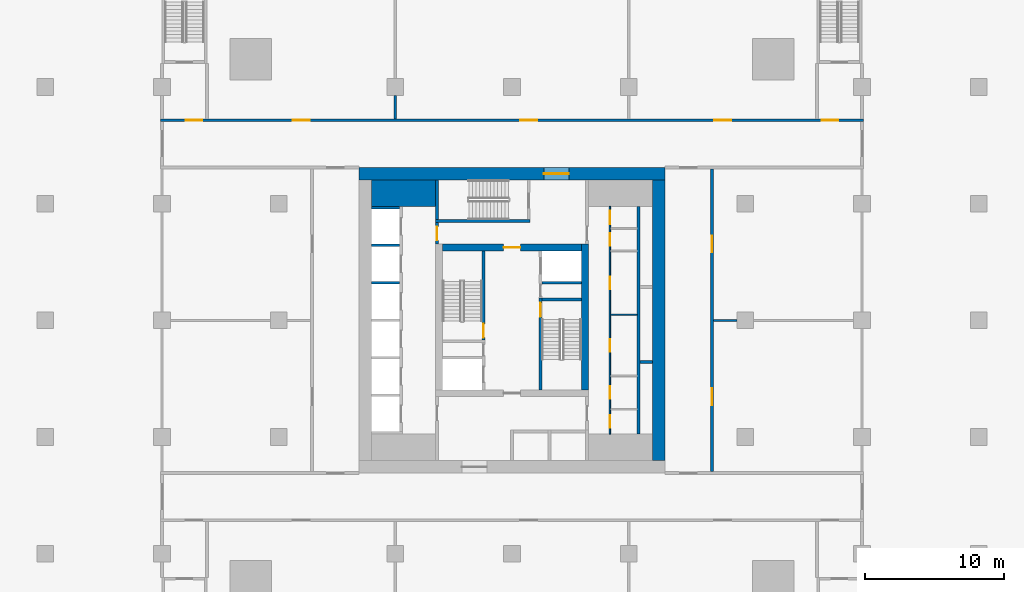
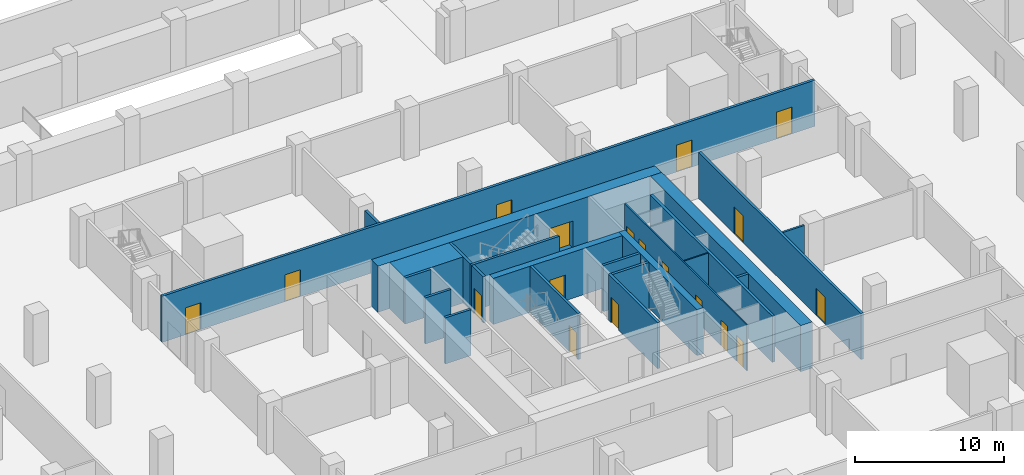
# One storey, part 6 of 16: 23 walls, 18 doors, 18 openings.
"""IFC4 building model written with IfcOpenShell, lengths in metres."""

from ifc_helpers import new_model, si_unit, direction, frame, frame_2d, origin, place, context, subcontext, project, spatial, rectangle, extrude, material, layer, layer_set, type_object, element, fill, save


model = new_model("IFC4")

# Units and contexts
model_context = context("Model", 3, precision=1e-05, world=origin(), true_north=direction((0.0, 1.0)))
body_context = subcontext(model_context, "Body", "Model", "MODEL_VIEW")
ifc_project = project(units=[si_unit("LENGTHUNIT", "METRE"), si_unit("AREAUNIT", "SQUARE_METRE"), si_unit("VOLUMEUNIT", "CUBIC_METRE"), si_unit("PLANEANGLEUNIT", "RADIAN"), si_unit("MASSUNIT", "GRAM", prefix="KILO")], contexts=[model_context])

# Site, building, storey
site_placement = place(None, origin())
site = spatial("IfcSite", under=ifc_project, at=site_placement, CompositionType="ELEMENT")
building_placement = place(site_placement, origin())
building = spatial("IfcBuilding", under=site, at=building_placement, Name="Khepri Terraces", CompositionType="ELEMENT")
storey_placement = place(building_placement, frame((0.0, 0.0, -4.199951171875)))
storey = spatial("IfcBuildingStorey", under=building, at=storey_placement, Name="B1", CompositionType="ELEMENT", Elevation=-4.199951171875)

# Wall
ifc_material_1 = material(Name="Concrete C80/95", Category="concrete")
ifc_layer_1 = layer(ifc_material_1, 1.89990234375, Name="Concrete C80/95", Category="concrete")
ifc_layer_set_1 = layer_set([ifc_layer_1], Name="Concrete C80/95")
wall_type_1 = type_object("IfcWallType", Name="Core wall 1900 C80/95", PredefinedType="SHEAR", material=ifc_layer_set_1)
wall_1_placement = place(storey_placement, frame((-10.10009765625, 9.14990234375, 0.0), z_axis=(0.0, 0.0, 1.0), x_axis=(1.0, 0.0, 0.0)))
element("IfcWall", 1, at=wall_1_placement, inside=storey, type_object=wall_type_1, Name="Core wall PR03 B1", PredefinedType="SHEAR", context=body_context, shape_type="SweptSolid", body=[
    extrude(rectangle(XDim=4.60009765625, YDim=1.89990234375, at=frame_2d((2.300048828125, 0.0))), origin(), (0.0, 0.0, 1.0), 3.780029296875),
])

# Wall, opening, door
ifc_layer_2 = layer(ifc_material_1, 0.199951171875, Name="Concrete C80/95", Category="concrete")
ifc_layer_set_2 = layer_set([ifc_layer_2], Name="Concrete C80/95")
wall_type_2 = type_object("IfcWallType", Name="Core wall 200 C80/95", PredefinedType="SHEAR", material=ifc_layer_set_2)
wall_2_placement = place(storey_placement, frame((2.050048828125, -5.0, 0.0), z_axis=(0.0, 0.0, 1.0), x_axis=(0.0, 1.0, 0.0)))
wall_2 = element("IfcWall", 2, at=wall_2_placement, inside=storey, type_object=wall_type_2, Name="Core wall ST01 B1", PredefinedType="SHEAR", context=body_context, shape_type="SweptSolid", body=[
    extrude(rectangle(XDim=6.60009765625, YDim=0.199951171875, at=frame_2d((3.300048828125, 0.0))), origin(), (0.0, 0.0, 1.0), 3.780029296875),
])
opening_1_placement = place(wall_2_placement, frame((5.25, 0.0, 0.0)))
opening_1 = element("IfcOpeningElement", 3, at=opening_1_placement, cuts=wall_2, Name="Opening B1-C10", PredefinedType="OPENING", context=body_context, shape_type="SweptSolid", body=[
    extrude(rectangle(XDim=1.0, YDim=2.10009765625, at=frame_2d((0.5, 1.050048828125))), frame((0.0, 0.10986328125, 0.0), z_axis=(0.0, -1.0, 0.0), x_axis=(1.0, 0.0, 0.0)), (0.0, 0.0, 1.0), 0.219970703125),
])
ifc_material_2 = material(Name="Painted steel", Category="steel")
door_type_1 = type_object("IfcDoorType", Name="DR-CORE-STAIR-1000", OperationType="NOTDEFINED", PredefinedType="DOOR", material=ifc_material_2)
door_1_placement = place(opening_1_placement, frame((1.0, 0.0, 0.0), z_axis=(0.0, 0.0, 1.0), x_axis=(-1.0, 0.0, 0.0)))
door_1 = element("IfcDoor", 4, at=door_1_placement, inside=storey, type_object=door_type_1, Name="Stair door B1-C10", OperationType="SINGLE_SWING_LEFT", OverallHeight=2.10009765625, OverallWidth=1.0, PredefinedType="DOOR", context=body_context, shape_type="SweptSolid", body=[
    extrude(rectangle(XDim=1.0, YDim=2.10009765625, at=frame_2d((0.5, 1.050048828125))), frame((0.0, 0.02490234375, 0.0), z_axis=(0.0, -1.0, 0.0), x_axis=(1.0, 0.0, 0.0)), (0.0, 0.0, 1.0), 0.050048828125),
])
fill(opening_1, door_1)

wall_3_placement = place(storey_placement, frame((-2.050048828125, -1.39990234375, 0.0), z_axis=(0.0, 0.0, 1.0), x_axis=(0.0, 1.0, 0.0)))
wall_3 = element("IfcWall", 5, at=wall_3_placement, inside=storey, type_object=wall_type_2, Name="Core wall ST03 B1", PredefinedType="SHEAR", context=body_context, shape_type="SweptSolid", body=[
    extrude(rectangle(XDim=6.39990234375, YDim=0.199951171875, at=frame_2d((3.199951171875, 0.0))), origin(), (0.0, 0.0, 1.0), 3.780029296875),
])
opening_2_placement = place(wall_3_placement, frame((0.14990234375, 0.0, 0.0)))
opening_2 = element("IfcOpeningElement", 6, at=opening_2_placement, cuts=wall_3, Name="Opening B1-C09", PredefinedType="OPENING", context=body_context, shape_type="SweptSolid", body=[
    extrude(rectangle(XDim=1.0, YDim=2.10009765625, at=frame_2d((0.5, 1.050048828125))), frame((0.0, 0.10986328125, 0.0), z_axis=(0.0, -1.0, 0.0), x_axis=(1.0, 0.0, 0.0)), (0.0, 0.0, 1.0), 0.219970703125),
])
door_2_placement = place(opening_2_placement, origin())
door_2 = element("IfcDoor", 7, at=door_2_placement, inside=storey, type_object=door_type_1, Name="Stair door B1-C09", OperationType="SINGLE_SWING_LEFT", OverallHeight=2.10009765625, OverallWidth=1.0, PredefinedType="DOOR", context=body_context, shape_type="SweptSolid", body=[
    extrude(rectangle(XDim=1.0, YDim=2.10009765625, at=frame_2d((0.5, 1.050048828125))), frame((0.0, 0.02490234375, 0.0), z_axis=(0.0, -1.0, 0.0), x_axis=(1.0, 0.0, 0.0)), (0.0, 0.0, 1.0), 0.050048828125),
])
fill(opening_2, door_2)

# Walls
wall_4_placement = place(storey_placement, frame((2.14990234375, 1.5, 0.0), z_axis=(0.0, 0.0, 1.0), x_axis=(1.0, 0.0, 0.0)))
element("IfcWall", 8, at=wall_4_placement, inside=storey, type_object=wall_type_2, Name="Core wall ST04 B1", PredefinedType="SHEAR", context=body_context, shape_type="SweptSolid", body=[
    extrude(rectangle(XDim=2.85009765625, YDim=0.199951171875, at=frame_2d((1.425048828125, 0.0))), origin(), (0.0, 0.0, 1.0), 3.780029296875),
])
wall_5_placement = place(storey_placement, frame((-5.5, 7.14990234375, 0.0), z_axis=(0.0, 0.0, 1.0), x_axis=(1.0, 0.0, 0.0)))
element("IfcWall", 9, at=wall_5_placement, inside=storey, type_object=wall_type_2, Name="Core wall ST05 B1", PredefinedType="SHEAR", context=body_context, shape_type="SweptSolid", body=[
    extrude(rectangle(XDim=6.800048828125, YDim=0.199951171875, at=frame_2d((3.39990234375, 0.0))), origin(), (0.0, 0.0, 1.0), 3.780029296875),
])
wall_6_placement = place(storey_placement, frame((-5.39990234375, 7.25, 0.0), z_axis=(0.0, 0.0, 1.0), x_axis=(0.0, 1.0, 0.0)))
element("IfcWall", 10, at=wall_6_placement, inside=storey, type_object=wall_type_2, Name="Core wall ST06 B1", PredefinedType="SHEAR", context=body_context, shape_type="SweptSolid", body=[
    extrude(rectangle(XDim=2.85009765625, YDim=0.199951171875, at=frame_2d((1.425048828125, 0.0))), origin(), (0.0, 0.0, 1.0), 3.780029296875),
])
wall_7_placement = place(storey_placement, frame((9.10009765625, -8.199951171875, 0.0), z_axis=(0.0, 0.0, 1.0), x_axis=(0.0, 1.0, 0.0)))
element("IfcWall", 11, at=wall_7_placement, inside=storey, type_object=wall_type_2, Name="Core wall SH05 B1", PredefinedType="SHEAR", context=body_context, shape_type="SweptSolid", body=[
    extrude(rectangle(XDim=16.39990234375, YDim=0.199951171875, at=frame_2d((8.199951171875, 0.0))), origin(), (0.0, 0.0, 1.0), 3.780029296875),
])
wall_8_placement = place(storey_placement, frame((9.199951171875, -3.0, 0.0), z_axis=(0.0, 0.0, 1.0), x_axis=(1.0, 0.0, 0.0)))
element("IfcWall", 12, at=wall_8_placement, inside=storey, type_object=wall_type_2, Name="Core wall SH11 B1", PredefinedType="SHEAR", context=body_context, shape_type="SweptSolid", body=[
    extrude(rectangle(XDim=0.900146484375, YDim=0.199951171875, at=frame_2d((0.4501953125, 0.0))), origin(), (0.0, 0.0, 1.0), 3.780029296875),
])
wall_9_placement = place(storey_placement, frame((-10.10009765625, 2.699951171875, 0.0), z_axis=(0.0, 0.0, 1.0), x_axis=(1.0, 0.0, 0.0)))
element("IfcWall", 13, at=wall_9_placement, inside=storey, type_object=wall_type_2, Name="Core wall SH17 B1", PredefinedType="SHEAR", context=body_context, shape_type="SweptSolid", body=[
    extrude(rectangle(XDim=2.0, YDim=0.199951171875, at=frame_2d((1.0, 0.0))), origin(), (0.0, 0.0, 1.0), 3.780029296875),
])
wall_10_placement = place(storey_placement, frame((2.14990234375, 2.699951171875, 0.0), z_axis=(0.0, 0.0, 1.0), x_axis=(1.0, 0.0, 0.0)))
element("IfcWall", 14, at=wall_10_placement, inside=storey, type_object=wall_type_2, Name="Core wall SH18 B1", PredefinedType="SHEAR", context=body_context, shape_type="SweptSolid", body=[
    extrude(rectangle(XDim=2.85009765625, YDim=0.199951171875, at=frame_2d((1.425048828125, 0.0))), origin(), (0.0, 0.0, 1.0), 3.780029296875),
])
for number, where, z_axis, x_axis, name in (
    (15, (-10.10009765625, 5.39990234375, 0.0), (0.0, 0.0, 1.0), (1.0, 0.0, 0.0), "Core wall SH19 B1"),
    (16, (-10.10009765625, 8.10009765625, 0.0), (0.0, 0.0, 1.0), (1.0, 0.0, 0.0), "Core wall SH20 B1"),
):
    element("IfcWall", number, at=place(storey_placement, frame(where, z_axis=z_axis, x_axis=x_axis)), inside=storey, type_object=wall_type_2, Name=name, PredefinedType="SHEAR", context=body_context, shape_type="SweptSolid", body=[
        extrude(rectangle(XDim=2.0, YDim=0.199951171875, at=frame_2d((1.0, 0.0))), origin(), (0.0, 0.0, 1.0), 3.780029296875),
    ])
ifc_layer_3 = layer(ifc_material_1, 0.5, Name="Concrete C80/95", Category="concrete")
ifc_layer_set_3 = layer_set([ifc_layer_3], Name="Concrete C80/95")
wall_type_3 = type_object("IfcWallType", Name="Core wall 500 C80/95", PredefinedType="SHEAR", material=ifc_layer_set_3)
wall_11_placement = place(storey_placement, frame((5.25, -5.0, 0.0), z_axis=(0.0, 0.0, 1.0), x_axis=(0.0, 1.0, 0.0)))
element("IfcWall", 17, at=wall_11_placement, inside=storey, type_object=wall_type_3, Name="Core wall BX03 B1", PredefinedType="SHEAR", context=body_context, shape_type="SweptSolid", body=[
    extrude(rectangle(XDim=10.5, YDim=0.5, at=frame_2d((5.25, 0.0))), origin(), (0.0, 0.0, 1.0), 3.780029296875),
])

# Wall, opening, door
wall_12_placement = place(storey_placement, frame((-5.0, 5.25, 0.0), z_axis=(0.0, 0.0, 1.0), x_axis=(1.0, 0.0, 0.0)))
wall_12 = element("IfcWall", 18, at=wall_12_placement, inside=storey, type_object=wall_type_3, Name="Core wall BX04 B1", PredefinedType="SHEAR", context=body_context, shape_type="SweptSolid", body=[
    extrude(rectangle(XDim=10.0, YDim=0.5, at=frame_2d((5.0, 0.0))), origin(), (0.0, 0.0, 1.0), 3.780029296875),
])
opening_3_placement = place(wall_12_placement, frame((4.39990234375, 0.0, 0.0)))
opening_3 = element("IfcOpeningElement", 19, at=opening_3_placement, cuts=wall_12, Name="Opening B1-C13", PredefinedType="OPENING", context=body_context, shape_type="SweptSolid", body=[
    extrude(rectangle(XDim=1.199951171875, YDim=2.10009765625, at=frame_2d((0.60009765625, 1.050048828125))), frame((0.0, 0.260009765625, 0.0), z_axis=(0.0, -1.0, 0.0), x_axis=(1.0, 0.0, 0.0)), (0.0, 0.0, 1.0), 0.52001953125),
])
door_type_2 = type_object("IfcDoorType", Name="DR-CORE-FF-LOBBY-1200", OperationType="NOTDEFINED", PredefinedType="DOOR", material=ifc_material_2)
door_3_placement = place(opening_3_placement, frame((1.199951171875, 0.0, 0.0), z_axis=(0.0, 0.0, 1.0), x_axis=(-1.0, 0.0, 0.0)))
door_3 = element("IfcDoor", 20, at=door_3_placement, inside=storey, type_object=door_type_2, Name="Firefighting lobby door B1-C13", OperationType="SINGLE_SWING_LEFT", OverallHeight=2.10009765625, OverallWidth=1.199951171875, PredefinedType="DOOR", context=body_context, shape_type="SweptSolid", body=[
    extrude(rectangle(XDim=1.199951171875, YDim=2.10009765625, at=frame_2d((0.60009765625, 1.050048828125))), frame((0.0, 0.02490234375, 0.0), z_axis=(0.0, -1.0, 0.0), x_axis=(1.0, 0.0, 0.0)), (0.0, 0.0, 1.0), 0.050048828125),
])
fill(opening_3, door_3)

ifc_layer_4 = layer(ifc_material_1, 0.89990234375, Name="Concrete C80/95", Category="concrete")
ifc_layer_set_4 = layer_set([ifc_layer_4], Name="Concrete C80/95")
wall_type_4 = type_object("IfcWallType", Name="Core wall 900 C80/95", PredefinedType="SHEAR", material=ifc_layer_set_4)
wall_13_placement = place(storey_placement, frame((-11.0, 10.550048828125, 0.0), z_axis=(0.0, 0.0, 1.0), x_axis=(1.0, 0.0, 0.0)))
wall_13 = element("IfcWall", 21, at=wall_13_placement, inside=storey, type_object=wall_type_4, Name="Core wall OW-N B1", PredefinedType="SHEAR", context=body_context, shape_type="SweptSolid", body=[
    extrude(rectangle(XDim=22.0, YDim=0.89990234375, at=frame_2d((11.0, 0.0))), origin(), (0.0, 0.0, 1.0), 3.780029296875),
])
opening_4_placement = place(wall_13_placement, frame((13.300048828125, 0.0, 0.0)))
opening_4 = element("IfcOpeningElement", 22, at=opening_4_placement, cuts=wall_13, Name="Opening B1-C20", PredefinedType="OPENING", context=body_context, shape_type="SweptSolid", body=[
    extrude(rectangle(XDim=1.800048828125, YDim=2.199951171875, at=frame_2d((0.89990234375, 1.10009765625))), frame((0.0, 0.4599609375, 0.0), z_axis=(0.0, -1.0, 0.0), x_axis=(1.0, 0.0, 0.0)), (0.0, 0.0, 1.0), 0.919921875),
])
door_type_3 = type_object("IfcDoorType", Name="DR-CORE-ENTRANCE-1800", OperationType="NOTDEFINED", PredefinedType="DOOR", material=ifc_material_2)
door_4_placement = place(opening_4_placement, origin())
door_4 = element("IfcDoor", 23, at=door_4_placement, inside=storey, type_object=door_type_3, Name="Core entrance door pair B1-C20", OperationType="DOUBLE_DOOR_SINGLE_SWING", OverallHeight=2.199951171875, OverallWidth=1.800048828125, PredefinedType="DOOR", context=body_context, shape_type="SweptSolid", body=[
    extrude(rectangle(XDim=1.800048828125, YDim=2.199951171875, at=frame_2d((0.89990234375, 1.10009765625))), frame((0.0, 0.02490234375, 0.0), z_axis=(0.0, -1.0, 0.0), x_axis=(1.0, 0.0, 0.0)), (0.0, 0.0, 1.0), 0.050048828125),
])
fill(opening_4, door_4)

# Wall
wall_14_placement = place(storey_placement, frame((10.550048828125, -10.10009765625, 0.0), z_axis=(0.0, 0.0, 1.0), x_axis=(0.0, 1.0, 0.0)))
element("IfcWall", 24, at=wall_14_placement, inside=storey, type_object=wall_type_4, Name="Core wall OW-E B1", PredefinedType="SHEAR", context=body_context, shape_type="SweptSolid", body=[
    extrude(rectangle(XDim=20.2001953125, YDim=0.89990234375, at=frame_2d((10.10009765625, 0.0))), origin(), (0.0, 0.0, 1.0), 3.780029296875),
])

# Wall, openings, doors
ifc_material_3 = material(Name="Fire-rated gypsum board partition")
ifc_layer_5 = layer(ifc_material_3, 0.10009765625, Name="Fire-rated gypsum board partition")
ifc_layer_set_5 = layer_set([ifc_layer_5], Name="Fire-rated gypsum board partition")
wall_type_5 = type_object("IfcWallType", Name="WL-CORE-PART-100", PredefinedType="PARTITIONING", material=ifc_layer_set_5)
wall_15_placement = place(storey_placement, frame((7.050048828125, -8.199951171875, 0.0), z_axis=(0.0, 0.0, 1.0), x_axis=(0.0, 1.0, 0.0)))
wall_15 = element("IfcWall", 25, at=wall_15_placement, inside=storey, type_object=wall_type_5, Name="Core partition PT02 B1", PredefinedType="PARTITIONING", context=body_context, shape_type="SweptSolid", body=[
    extrude(rectangle(XDim=16.39990234375, YDim=0.10009765625, at=frame_2d((8.199951171875, 0.0))), origin(), (0.0, 0.0, 1.0), 3.780029296875),
])
opening_5_placement = place(wall_15_placement, frame((0.449951171875, 0.0, 0.0)))
opening_5 = element("IfcOpeningElement", 26, at=opening_5_placement, cuts=wall_15, Name="Opening B1-C22", PredefinedType="OPENING", context=body_context, shape_type="SweptSolid", body=[
    extrude(rectangle(XDim=0.89990234375, YDim=2.10009765625, at=frame_2d((0.449951171875, 1.050048828125))), frame((0.0, 0.06005859375, 0.0), z_axis=(0.0, -1.0, 0.0), x_axis=(1.0, 0.0, 0.0)), (0.0, 0.0, 1.0), 0.1201171875),
])
opening_6_placement = place(wall_15_placement, frame((2.550048828125, 0.0, 0.0)))
opening_6 = element("IfcOpeningElement", 27, at=opening_6_placement, cuts=wall_15, Name="Opening B1-C23", PredefinedType="OPENING", context=body_context, shape_type="SweptSolid", body=[
    extrude(rectangle(XDim=0.89990234375, YDim=2.10009765625, at=frame_2d((0.449951171875, 1.050048828125))), frame((0.0, 0.06005859375, 0.0), z_axis=(0.0, -1.0, 0.0), x_axis=(1.0, 0.0, 0.0)), (0.0, 0.0, 1.0), 0.1201171875),
])
opening_7_placement = place(wall_15_placement, frame((5.949951171875, 0.0, 0.0)))
opening_7 = element("IfcOpeningElement", 28, at=opening_7_placement, cuts=wall_15, Name="Opening B1-C24", PredefinedType="OPENING", context=body_context, shape_type="SweptSolid", body=[
    extrude(rectangle(XDim=0.89990234375, YDim=2.10009765625, at=frame_2d((0.449951171875, 1.050048828125))), frame((0.0, 0.06005859375, 0.0), z_axis=(0.0, -1.0, 0.0), x_axis=(1.0, 0.0, 0.0)), (0.0, 0.0, 1.0), 0.1201171875),
])
opening_8_placement = place(wall_15_placement, frame((10.449951171875, 0.0, 0.0)))
opening_8 = element("IfcOpeningElement", 29, at=opening_8_placement, cuts=wall_15, Name="Opening B1-C25", PredefinedType="OPENING", context=body_context, shape_type="SweptSolid", body=[
    extrude(rectangle(XDim=0.89990234375, YDim=2.10009765625, at=frame_2d((0.449951171875, 1.050048828125))), frame((0.0, 0.06005859375, 0.0), z_axis=(0.0, -1.0, 0.0), x_axis=(1.0, 0.0, 0.0)), (0.0, 0.0, 1.0), 0.1201171875),
])
opening_9_placement = place(wall_15_placement, frame((13.550048828125, 0.0, 0.0)))
opening_9 = element("IfcOpeningElement", 30, at=opening_9_placement, cuts=wall_15, Name="Opening B1-C26", PredefinedType="OPENING", context=body_context, shape_type="SweptSolid", body=[
    extrude(rectangle(XDim=0.89990234375, YDim=2.10009765625, at=frame_2d((0.449951171875, 1.050048828125))), frame((0.0, 0.06005859375, 0.0), z_axis=(0.0, -1.0, 0.0), x_axis=(1.0, 0.0, 0.0)), (0.0, 0.0, 1.0), 0.1201171875),
])
opening_10_placement = place(wall_15_placement, frame((15.10009765625, 0.0, 0.0)))
opening_10 = element("IfcOpeningElement", 31, at=opening_10_placement, cuts=wall_15, Name="Opening B1-C27", PredefinedType="OPENING", context=body_context, shape_type="SweptSolid", body=[
    extrude(rectangle(XDim=1.0, YDim=2.10009765625, at=frame_2d((0.5, 1.050048828125))), frame((0.0, 0.06005859375, 0.0), z_axis=(0.0, -1.0, 0.0), x_axis=(1.0, 0.0, 0.0)), (0.0, 0.0, 1.0), 0.1201171875),
])
door_type_4 = type_object("IfcDoorType", Name="DR-CORE-SERVICE-900", OperationType="NOTDEFINED", PredefinedType="DOOR", material=ifc_material_2)
door_5_placement = place(opening_5_placement, frame((0.89990234375, 0.0, 0.0), z_axis=(0.0, 0.0, 1.0), x_axis=(-1.0, 0.0, 0.0)))
door_5 = element("IfcDoor", 32, at=door_5_placement, inside=storey, type_object=door_type_4, Name="Service room door B1-C22", OperationType="SINGLE_SWING_RIGHT", OverallHeight=2.10009765625, OverallWidth=0.89990234375, PredefinedType="DOOR", context=body_context, shape_type="SweptSolid", body=[
    extrude(rectangle(XDim=0.89990234375, YDim=2.10009765625, at=frame_2d((0.449951171875, 1.050048828125))), frame((0.0, 0.02490234375, 0.0), z_axis=(0.0, -1.0, 0.0), x_axis=(1.0, 0.0, 0.0)), (0.0, 0.0, 1.0), 0.050048828125),
])
fill(opening_5, door_5)
door_6_placement = place(opening_6_placement, frame((0.89990234375, 0.0, 0.0), z_axis=(0.0, 0.0, 1.0), x_axis=(-1.0, 0.0, 0.0)))
door_6 = element("IfcDoor", 33, at=door_6_placement, inside=storey, type_object=door_type_4, Name="Service room door B1-C23", OperationType="SINGLE_SWING_RIGHT", OverallHeight=2.10009765625, OverallWidth=0.89990234375, PredefinedType="DOOR", context=body_context, shape_type="SweptSolid", body=[
    extrude(rectangle(XDim=0.89990234375, YDim=2.10009765625, at=frame_2d((0.449951171875, 1.050048828125))), frame((0.0, 0.02490234375, 0.0), z_axis=(0.0, -1.0, 0.0), x_axis=(1.0, 0.0, 0.0)), (0.0, 0.0, 1.0), 0.050048828125),
])
fill(opening_6, door_6)
door_7_placement = place(opening_7_placement, frame((0.89990234375, 0.0, 0.0), z_axis=(0.0, 0.0, 1.0), x_axis=(-1.0, 0.0, 0.0)))
door_7 = element("IfcDoor", 34, at=door_7_placement, inside=storey, type_object=door_type_4, Name="Service room door B1-C24", OperationType="SINGLE_SWING_RIGHT", OverallHeight=2.10009765625, OverallWidth=0.89990234375, PredefinedType="DOOR", context=body_context, shape_type="SweptSolid", body=[
    extrude(rectangle(XDim=0.89990234375, YDim=2.10009765625, at=frame_2d((0.449951171875, 1.050048828125))), frame((0.0, 0.02490234375, 0.0), z_axis=(0.0, -1.0, 0.0), x_axis=(1.0, 0.0, 0.0)), (0.0, 0.0, 1.0), 0.050048828125),
])
fill(opening_7, door_7)
door_8_placement = place(opening_8_placement, frame((0.89990234375, 0.0, 0.0), z_axis=(0.0, 0.0, 1.0), x_axis=(-1.0, 0.0, 0.0)))
door_8 = element("IfcDoor", 35, at=door_8_placement, inside=storey, type_object=door_type_4, Name="Service room door B1-C25", OperationType="SINGLE_SWING_LEFT", OverallHeight=2.10009765625, OverallWidth=0.89990234375, PredefinedType="DOOR", context=body_context, shape_type="SweptSolid", body=[
    extrude(rectangle(XDim=0.89990234375, YDim=2.10009765625, at=frame_2d((0.449951171875, 1.050048828125))), frame((0.0, 0.02490234375, 0.0), z_axis=(0.0, -1.0, 0.0), x_axis=(1.0, 0.0, 0.0)), (0.0, 0.0, 1.0), 0.050048828125),
])
fill(opening_8, door_8)
door_9_placement = place(opening_9_placement, frame((0.89990234375, 0.0, 0.0), z_axis=(0.0, 0.0, 1.0), x_axis=(-1.0, 0.0, 0.0)))
door_9 = element("IfcDoor", 36, at=door_9_placement, inside=storey, type_object=door_type_4, Name="Service room door B1-C26", OperationType="SINGLE_SWING_LEFT", OverallHeight=2.10009765625, OverallWidth=0.89990234375, PredefinedType="DOOR", context=body_context, shape_type="SweptSolid", body=[
    extrude(rectangle(XDim=0.89990234375, YDim=2.10009765625, at=frame_2d((0.449951171875, 1.050048828125))), frame((0.0, 0.02490234375, 0.0), z_axis=(0.0, -1.0, 0.0), x_axis=(1.0, 0.0, 0.0)), (0.0, 0.0, 1.0), 0.050048828125),
])
fill(opening_9, door_9)
ifc_material_4 = material(Name="Timber veneer", Category="wood")
door_type_5 = type_object("IfcDoorType", Name="DR-CORE-WC-1000", OperationType="NOTDEFINED", PredefinedType="DOOR", material=ifc_material_4)
door_10_placement = place(opening_10_placement, frame((1.0, 0.0, 0.0), z_axis=(0.0, 0.0, 1.0), x_axis=(-1.0, 0.0, 0.0)))
door_10 = element("IfcDoor", 37, at=door_10_placement, inside=storey, type_object=door_type_5, Name="WC door B1-C27", OperationType="SINGLE_SWING_LEFT", OverallHeight=2.10009765625, OverallWidth=1.0, PredefinedType="DOOR", context=body_context, shape_type="SweptSolid", body=[
    extrude(rectangle(XDim=1.0, YDim=2.10009765625, at=frame_2d((0.5, 1.050048828125))), frame((0.0, 0.02490234375, 0.0), z_axis=(0.0, -1.0, 0.0), x_axis=(1.0, 0.0, 0.0)), (0.0, 0.0, 1.0), 0.050048828125),
])
fill(opening_10, door_10)

# Wall
wall_16_placement = place(storey_placement, frame((7.10009765625, 0.39990234375, 0.0), z_axis=(0.0, 0.0, 1.0), x_axis=(1.0, 0.0, 0.0)))
element("IfcWall", 38, at=wall_16_placement, inside=storey, type_object=wall_type_5, Name="Core partition PT06 B1", PredefinedType="PARTITIONING", context=body_context, shape_type="SweptSolid", body=[
    extrude(rectangle(XDim=1.89990234375, YDim=0.10009765625, at=frame_2d((0.949951171875, 0.0))), origin(), (0.0, 0.0, 1.0), 3.780029296875),
])

# Wall, opening, door
ifc_layer_6 = layer(ifc_material_3, 0.199951171875, Name="Fire-rated gypsum board partition")
ifc_layer_set_6 = layer_set([ifc_layer_6], Name="Fire-rated gypsum board partition")
wall_type_6 = type_object("IfcWallType", Name="WL-CORE-PART-200", PredefinedType="PARTITIONING", material=ifc_layer_set_6)
wall_17_placement = place(storey_placement, frame((-5.39990234375, 5.5, 0.0), z_axis=(0.0, 0.0, 1.0), x_axis=(0.0, 1.0, 0.0)))
wall_17 = element("IfcWall", 39, at=wall_17_placement, inside=storey, type_object=wall_type_6, Name="Core partition PT08 B1", PredefinedType="PARTITIONING", context=body_context, shape_type="SweptSolid", body=[
    extrude(rectangle(XDim=1.550048828125, YDim=0.199951171875, at=frame_2d((0.77490234375, 0.0))), origin(), (0.0, 0.0, 1.0), 3.780029296875),
])
opening_11_placement = place(wall_17_placement, frame((0.25, 0.0, 0.0)))
opening_11 = element("IfcOpeningElement", 40, at=opening_11_placement, cuts=wall_17, Name="Opening B1-C16", PredefinedType="OPENING", context=body_context, shape_type="SweptSolid", body=[
    extrude(rectangle(XDim=1.0, YDim=2.10009765625, at=frame_2d((0.5, 1.050048828125))), frame((0.0, 0.10986328125, 0.0), z_axis=(0.0, -1.0, 0.0), x_axis=(1.0, 0.0, 0.0)), (0.0, 0.0, 1.0), 0.219970703125),
])
door_type_6 = type_object("IfcDoorType", Name="DR-CORE-LOBBY-1000", OperationType="NOTDEFINED", PredefinedType="DOOR", material=ifc_material_2)
door_11_placement = place(opening_11_placement, frame((1.0, 0.0, 0.0), z_axis=(0.0, 0.0, 1.0), x_axis=(-1.0, 0.0, 0.0)))
door_11 = element("IfcDoor", 41, at=door_11_placement, inside=storey, type_object=door_type_6, Name="Lobby door B1-C16", OperationType="SINGLE_SWING_RIGHT", OverallHeight=2.10009765625, OverallWidth=1.0, PredefinedType="DOOR", context=body_context, shape_type="SweptSolid", body=[
    extrude(rectangle(XDim=1.0, YDim=2.10009765625, at=frame_2d((0.5, 1.050048828125))), frame((0.0, 0.02490234375, 0.0), z_axis=(0.0, -1.0, 0.0), x_axis=(1.0, 0.0, 0.0)), (0.0, 0.0, 1.0), 0.050048828125),
])
fill(opening_11, door_11)

# Wall
ifc_material_5 = material(Name="Gypsum board partition")
ifc_layer_7 = layer(ifc_material_5, 0.14990234375, Name="Gypsum board partition")
ifc_layer_set_7 = layer_set([ifc_layer_7], Name="Gypsum board partition")
wall_type_7 = type_object("IfcWallType", Name="WL-POD-150", PredefinedType="PARTITIONING", material=ifc_layer_set_7)
wall_18_placement = place(storey_placement, frame((14.5, 0.0, 0.0), z_axis=(0.0, 0.0, 1.0), x_axis=(1.0, 0.0, 0.0)))
element("IfcWall", 42, at=wall_18_placement, inside=storey, type_object=wall_type_7, Name="Partition B1-PW019", PredefinedType="PARTITIONING", context=body_context, shape_type="SweptSolid", body=[
    extrude(rectangle(XDim=1.699951171875, YDim=0.14990234375, at=frame_2d((0.85009765625, 0.0))), origin(), (0.0, 0.0, 1.0), 3.780029296875),
])

# Wall, openings, doors
ifc_material_6 = material(Name="Fire-rated block wall")
ifc_layer_8 = layer(ifc_material_6, 0.199951171875, Name="Fire-rated block wall")
ifc_layer_set_8 = layer_set([ifc_layer_8], Name="Fire-rated block wall")
wall_type_8 = type_object("IfcWallType", Name="WL-POD-200-EI120", PredefinedType="PARTITIONING", material=ifc_layer_set_8)
wall_19_placement = place(storey_placement, frame((-25.300048828125, 14.39990234375, 0.0), z_axis=(0.0, 0.0, 1.0), x_axis=(1.0, 0.0, 0.0)))
wall_19 = element("IfcWall", 43, at=wall_19_placement, inside=storey, type_object=wall_type_8, Name="Partition B1-PW023", PredefinedType="PARTITIONING", context=body_context, shape_type="SweptSolid", body=[
    extrude(rectangle(XDim=50.60009765625, YDim=0.199951171875, at=frame_2d((25.300048828125, 0.0))), origin(), (0.0, 0.0, 1.0), 3.780029296875),
])
opening_12_placement = place(wall_19_placement, frame((1.800048828125, 0.0, 0.0)))
opening_12 = element("IfcOpeningElement", 44, at=opening_12_placement, cuts=wall_19, Name="Opening B1-P28", PredefinedType="OPENING", context=body_context, shape_type="SweptSolid", body=[
    extrude(rectangle(XDim=1.199951171875, YDim=2.199951171875, at=frame_2d((0.60009765625, 1.10009765625))), frame((0.0, 0.10986328125, 0.0), z_axis=(0.0, -1.0, 0.0), x_axis=(1.0, 0.0, 0.0)), (0.0, 0.0, 1.0), 0.219970703125),
])
opening_13_placement = place(wall_19_placement, frame((9.52490234375, 0.0, 0.0)))
opening_13 = element("IfcOpeningElement", 45, at=opening_13_placement, cuts=wall_19, Name="Opening B1-P29", PredefinedType="OPENING", context=body_context, shape_type="SweptSolid", body=[
    extrude(rectangle(XDim=1.199951171875, YDim=2.199951171875, at=frame_2d((0.60009765625, 1.10009765625))), frame((0.0, 0.10986328125, 0.0), z_axis=(0.0, -1.0, 0.0), x_axis=(1.0, 0.0, 0.0)), (0.0, 0.0, 1.0), 0.219970703125),
])
opening_14_placement = place(wall_19_placement, frame((25.89990234375, 0.0, 0.0)))
opening_14 = element("IfcOpeningElement", 46, at=opening_14_placement, cuts=wall_19, Name="Opening B1-P30", PredefinedType="OPENING", context=body_context, shape_type="SweptSolid", body=[
    extrude(rectangle(XDim=1.199951171875, YDim=2.199951171875, at=frame_2d((0.60009765625, 1.10009765625))), frame((0.0, 0.10986328125, 0.0), z_axis=(0.0, -1.0, 0.0), x_axis=(1.0, 0.0, 0.0)), (0.0, 0.0, 1.0), 0.219970703125),
])
opening_15_placement = place(wall_19_placement, frame((39.875, 0.0, 0.0)))
opening_15 = element("IfcOpeningElement", 47, at=opening_15_placement, cuts=wall_19, Name="Opening B1-P31", PredefinedType="OPENING", context=body_context, shape_type="SweptSolid", body=[
    extrude(rectangle(XDim=1.199951171875, YDim=2.199951171875, at=frame_2d((0.60009765625, 1.10009765625))), frame((0.0, 0.10986328125, 0.0), z_axis=(0.0, -1.0, 0.0), x_axis=(1.0, 0.0, 0.0)), (0.0, 0.0, 1.0), 0.219970703125),
])
opening_16_placement = place(wall_19_placement, frame((47.60009765625, 0.0, 0.0)))
opening_16 = element("IfcOpeningElement", 48, at=opening_16_placement, cuts=wall_19, Name="Opening B1-P32", PredefinedType="OPENING", context=body_context, shape_type="SweptSolid", body=[
    extrude(rectangle(XDim=1.199951171875, YDim=2.199951171875, at=frame_2d((0.60009765625, 1.10009765625))), frame((0.0, 0.10986328125, 0.0), z_axis=(0.0, -1.0, 0.0), x_axis=(1.0, 0.0, 0.0)), (0.0, 0.0, 1.0), 0.219970703125),
])
door_type_7 = type_object("IfcDoorType", Name="DR-POD-FIRE-1200", OperationType="NOTDEFINED", PredefinedType="DOOR", material=ifc_material_2)
door_12_placement = place(opening_12_placement, origin())
door_12 = element("IfcDoor", 49, at=door_12_placement, inside=storey, type_object=door_type_7, Name="Fire door B1-P28", OperationType="SINGLE_SWING_RIGHT", OverallHeight=2.199951171875, OverallWidth=1.199951171875, PredefinedType="DOOR", context=body_context, shape_type="SweptSolid", body=[
    extrude(rectangle(XDim=1.199951171875, YDim=2.199951171875, at=frame_2d((0.60009765625, 1.10009765625))), frame((0.0, 0.02490234375, 0.0), z_axis=(0.0, -1.0, 0.0), x_axis=(1.0, 0.0, 0.0)), (0.0, 0.0, 1.0), 0.050048828125),
])
fill(opening_12, door_12)
door_13_placement = place(opening_16_placement, origin())
door_13 = element("IfcDoor", 50, at=door_13_placement, inside=storey, type_object=door_type_7, Name="Fire door B1-P32", OperationType="SINGLE_SWING_LEFT", OverallHeight=2.199951171875, OverallWidth=1.199951171875, PredefinedType="DOOR", context=body_context, shape_type="SweptSolid", body=[
    extrude(rectangle(XDim=1.199951171875, YDim=2.199951171875, at=frame_2d((0.60009765625, 1.10009765625))), frame((0.0, 0.02490234375, 0.0), z_axis=(0.0, -1.0, 0.0), x_axis=(1.0, 0.0, 0.0)), (0.0, 0.0, 1.0), 0.050048828125),
])
fill(opening_16, door_13)
door_type_8 = type_object("IfcDoorType", Name="DR-POD-PLANT-1200", OperationType="NOTDEFINED", PredefinedType="DOOR", material=ifc_material_2)
door_14_placement = place(opening_13_placement, origin())
door_14 = element("IfcDoor", 51, at=door_14_placement, inside=storey, type_object=door_type_8, Name="Plant room door B1-P29", OperationType="SINGLE_SWING_LEFT", OverallHeight=2.199951171875, OverallWidth=1.199951171875, PredefinedType="DOOR", context=body_context, shape_type="SweptSolid", body=[
    extrude(rectangle(XDim=1.199951171875, YDim=2.199951171875, at=frame_2d((0.60009765625, 1.10009765625))), frame((0.0, 0.02490234375, 0.0), z_axis=(0.0, -1.0, 0.0), x_axis=(1.0, 0.0, 0.0)), (0.0, 0.0, 1.0), 0.050048828125),
])
fill(opening_13, door_14)
door_15_placement = place(opening_14_placement, origin())
door_15 = element("IfcDoor", 52, at=door_15_placement, inside=storey, type_object=door_type_8, Name="Plant room door B1-P30", OperationType="SINGLE_SWING_RIGHT", OverallHeight=2.199951171875, OverallWidth=1.199951171875, PredefinedType="DOOR", context=body_context, shape_type="SweptSolid", body=[
    extrude(rectangle(XDim=1.199951171875, YDim=2.199951171875, at=frame_2d((0.60009765625, 1.10009765625))), frame((0.0, 0.02490234375, 0.0), z_axis=(0.0, -1.0, 0.0), x_axis=(1.0, 0.0, 0.0)), (0.0, 0.0, 1.0), 0.050048828125),
])
fill(opening_14, door_15)
door_16_placement = place(opening_15_placement, origin())
door_16 = element("IfcDoor", 53, at=door_16_placement, inside=storey, type_object=door_type_8, Name="Plant room door B1-P31", OperationType="SINGLE_SWING_RIGHT", OverallHeight=2.199951171875, OverallWidth=1.199951171875, PredefinedType="DOOR", context=body_context, shape_type="SweptSolid", body=[
    extrude(rectangle(XDim=1.199951171875, YDim=2.199951171875, at=frame_2d((0.60009765625, 1.10009765625))), frame((0.0, 0.02490234375, 0.0), z_axis=(0.0, -1.0, 0.0), x_axis=(1.0, 0.0, 0.0)), (0.0, 0.0, 1.0), 0.050048828125),
])
fill(opening_15, door_16)

# Wall
wall_20_placement = place(storey_placement, frame((-8.39990234375, 14.5, 0.0), z_axis=(0.0, 0.0, 1.0), x_axis=(0.0, 1.0, 0.0)))
element("IfcWall", 54, at=wall_20_placement, inside=storey, type_object=wall_type_8, Name="Partition B1-PW081", PredefinedType="PARTITIONING", context=body_context, shape_type="SweptSolid", body=[
    extrude(rectangle(XDim=1.699951171875, YDim=0.199951171875, at=frame_2d((0.85009765625, 0.0))), origin(), (0.0, 0.0, 1.0), 3.780029296875),
])

# Wall, openings, doors
ifc_layer_9 = layer(ifc_material_6, 0.199951171875, Name="Fire-rated block wall")
ifc_layer_set_9 = layer_set([ifc_layer_9], Name="Fire-rated block wall")
wall_type_9 = type_object("IfcWallType", Name="WL-POD-200-EI60", PredefinedType="PARTITIONING", material=ifc_layer_set_9)
wall_21_placement = place(storey_placement, frame((14.39990234375, -10.89990234375, 0.0), z_axis=(0.0, 0.0, 1.0), x_axis=(0.0, 1.0, 0.0)))
wall_21 = element("IfcWall", 55, at=wall_21_placement, inside=storey, type_object=wall_type_9, Name="Partition B1-PW091", PredefinedType="PARTITIONING", context=body_context, shape_type="SweptSolid", body=[
    extrude(rectangle(XDim=21.7998046875, YDim=0.199951171875, at=frame_2d((10.89990234375, 0.0))), origin(), (0.0, 0.0, 1.0), 3.780029296875),
])
opening_17_placement = place(wall_21_placement, frame((4.800048828125, 0.0, 0.0)))
opening_17 = element("IfcOpeningElement", 56, at=opening_17_placement, cuts=wall_21, Name="Opening B1-P17", PredefinedType="OPENING", context=body_context, shape_type="SweptSolid", body=[
    extrude(rectangle(XDim=1.199951171875, YDim=2.199951171875, at=frame_2d((0.60009765625, 1.10009765625))), frame((0.0, 0.10986328125, 0.0), z_axis=(0.0, -1.0, 0.0), x_axis=(1.0, 0.0, 0.0)), (0.0, 0.0, 1.0), 0.219970703125),
])
opening_18_placement = place(wall_21_placement, frame((15.800048828125, 0.0, 0.0)))
opening_18 = element("IfcOpeningElement", 57, at=opening_18_placement, cuts=wall_21, Name="Opening B1-P21", PredefinedType="OPENING", context=body_context, shape_type="SweptSolid", body=[
    extrude(rectangle(XDim=1.199951171875, YDim=2.199951171875, at=frame_2d((0.60009765625, 1.10009765625))), frame((0.0, 0.10986328125, 0.0), z_axis=(0.0, -1.0, 0.0), x_axis=(1.0, 0.0, 0.0)), (0.0, 0.0, 1.0), 0.219970703125),
])
door_type_9 = type_object("IfcDoorType", Name="DR-POD-SINGLE-1200", OperationType="NOTDEFINED", PredefinedType="DOOR", material=ifc_material_4)
door_17_placement = place(opening_17_placement, origin())
door_17 = element("IfcDoor", 58, at=door_17_placement, inside=storey, type_object=door_type_9, Name="Door B1-P17", OperationType="SINGLE_SWING_RIGHT", OverallHeight=2.199951171875, OverallWidth=1.199951171875, PredefinedType="DOOR", context=body_context, shape_type="SweptSolid", body=[
    extrude(rectangle(XDim=1.199951171875, YDim=2.199951171875, at=frame_2d((0.60009765625, 1.10009765625))), frame((0.0, 0.02490234375, 0.0), z_axis=(0.0, -1.0, 0.0), x_axis=(1.0, 0.0, 0.0)), (0.0, 0.0, 1.0), 0.050048828125),
])
fill(opening_17, door_17)
door_18_placement = place(opening_18_placement, origin())
door_18 = element("IfcDoor", 59, at=door_18_placement, inside=storey, type_object=door_type_9, Name="Door B1-P21", OperationType="SINGLE_SWING_LEFT", OverallHeight=2.199951171875, OverallWidth=1.199951171875, PredefinedType="DOOR", context=body_context, shape_type="SweptSolid", body=[
    extrude(rectangle(XDim=1.199951171875, YDim=2.199951171875, at=frame_2d((0.60009765625, 1.10009765625))), frame((0.0, 0.02490234375, 0.0), z_axis=(0.0, -1.0, 0.0), x_axis=(1.0, 0.0, 0.0)), (0.0, 0.0, 1.0), 0.050048828125),
])
fill(opening_18, door_18)

save(model, "model.ifc")
